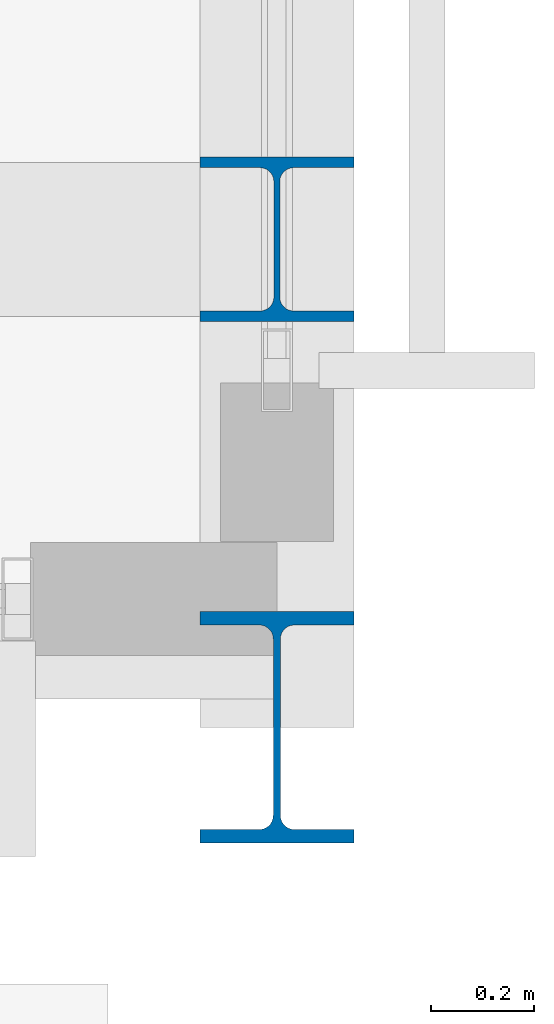
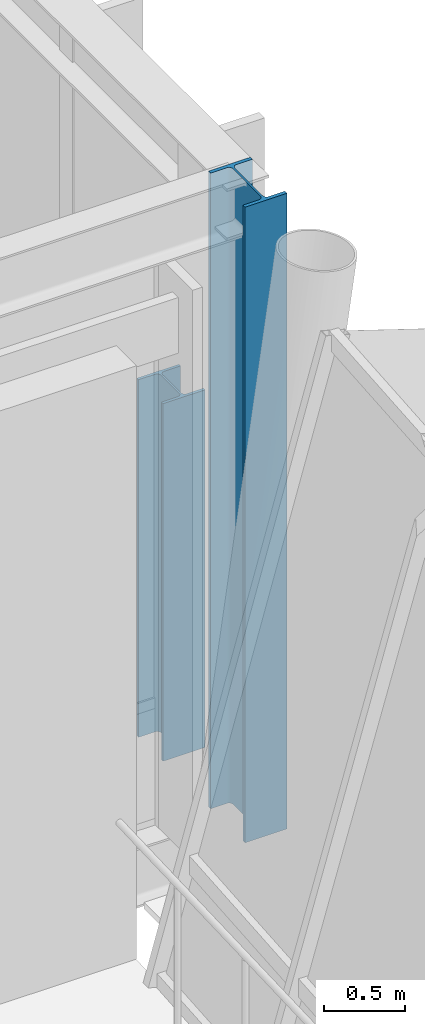
# One storey, part 7 of 177: 2 columns.
"""IFC4 building model written with IfcOpenShell, lengths in metres."""

from ifc_helpers import new_model, si_unit, direction, frame, origin, origin_2d, place, context, subcontext, project, spatial, i_section, extrude, material, material_profile, profile_set, type_object, element, save


model = new_model("IFC4")

# Units and contexts
model_context = context("Model", 3, precision=1e-05, world=origin(), true_north=direction((0.0, 1.0)))
body_context = subcontext(model_context, "Body", "Model", "MODEL_VIEW")
ifc_project = project(units=[si_unit("LENGTHUNIT", "METRE"), si_unit("AREAUNIT", "SQUARE_METRE"), si_unit("VOLUMEUNIT", "CUBIC_METRE"), si_unit("PLANEANGLEUNIT", "RADIAN"), si_unit("MASSUNIT", "GRAM", prefix="KILO")], contexts=[model_context])

# Site, building, storey
site_placement = place(None, origin())
site = spatial("IfcSite", under=ifc_project, at=site_placement, CompositionType="ELEMENT")
building_placement = place(site_placement, origin())
building = spatial("IfcBuilding", under=site, at=building_placement, Name="Chiffa Square Polytechnic", CompositionType="ELEMENT")
storey_placement = place(building_placement, frame((0.0, 0.0, 4.800048828125)))
storey = spatial("IfcBuildingStorey", under=building, at=storey_placement, Name="L01", CompositionType="ELEMENT", Elevation=4.800048828125)

# Columns
ifc_material = material(Name="Steel S355", Category="steel")
ifc_material_profile_1 = material_profile(ifc_material, i_section(OverallWidth=0.300048828125, OverallDepth=0.320068359375, WebThickness=0.011474609375, FlangeThickness=0.0205078125, FilletRadius=0.027099609375, at=origin_2d()), Name="HEB 320")
ifc_profile_set_1 = profile_set([ifc_material_profile_1], Name="Steel S355")
column_type_1 = type_object("IfcColumnType", Name="COL-STL-HEB320", PredefinedType="COLUMN", material=ifc_profile_set_1)
column_1_placement = place(storey_placement, frame((175.199951171875, 59.14990234375, 0.0), z_axis=(0.0, 0.0, 1.0), x_axis=(1.0, 0.0, 0.0)))
element("IfcColumn", 1, at=column_1_placement, inside=storey, type_object=column_type_1, Name="Crane stanchion upper post C-V2-CRN-L01-175-S", PredefinedType="COLUMN", context=body_context, shape_type="SweptSolid", body=[
    extrude(i_section(OverallWidth=0.300048828125, OverallDepth=0.320068359375, WebThickness=0.011474609375, FlangeThickness=0.0205078125, FilletRadius=0.027099609375, at=origin_2d()), origin(), (0.0, 0.0, 1.0), 2.699951171875),
])
ifc_material_profile_2 = material_profile(ifc_material, i_section(OverallWidth=0.300048828125, OverallDepth=0.449951171875, WebThickness=0.013916015625, FlangeThickness=0.02587890625, FilletRadius=0.027099609375, at=origin_2d()), Name="HEB 450")
ifc_profile_set_2 = profile_set([ifc_material_profile_2], Name="Steel S355")
column_type_2 = type_object("IfcColumnType", Name="COL-STL-HEB450", PredefinedType="COLUMN", material=ifc_profile_set_2)
column_2_placement = place(storey_placement, frame((175.199951171875, 58.199951171875, 0.0), z_axis=(0.0, 0.0, 1.0), x_axis=(1.0, 0.0, 0.0)))
element("IfcColumn", 2, at=column_2_placement, inside=storey, type_object=column_type_2, Name="Column C-V2-L01-1752-0582", PredefinedType="COLUMN", context=body_context, shape_type="SweptSolid", body=[
    extrude(i_section(OverallWidth=0.300048828125, OverallDepth=0.449951171875, WebThickness=0.013916015625, FlangeThickness=0.02587890625, FilletRadius=0.027099609375, at=origin_2d()), origin(), (0.0, 0.0, 1.0), 4.800048828125),
])

save(model, "model.ifc")
